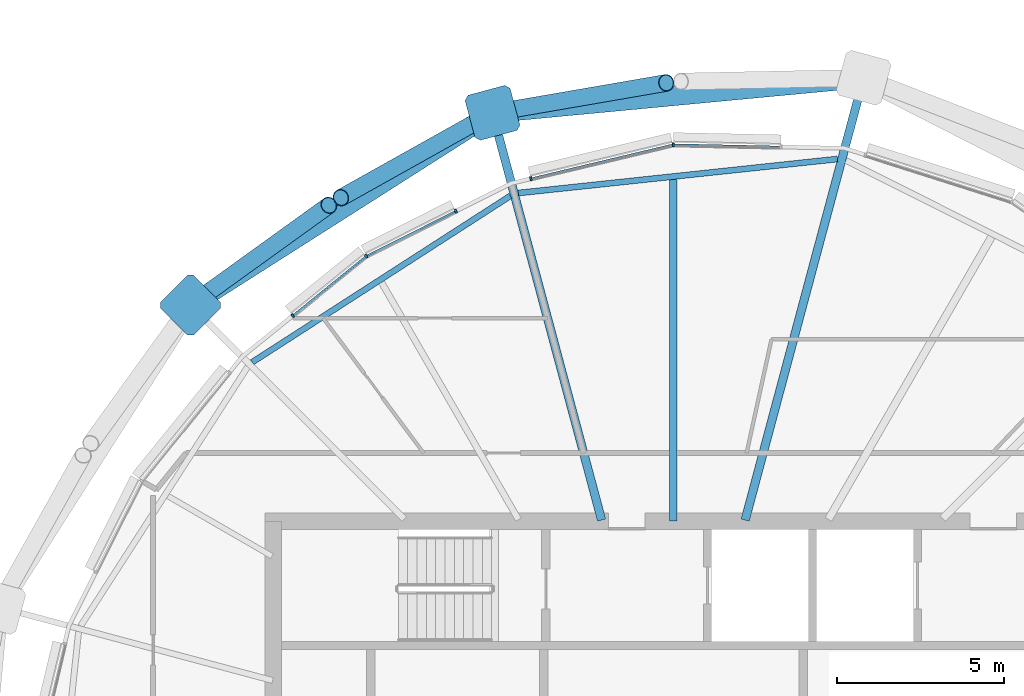
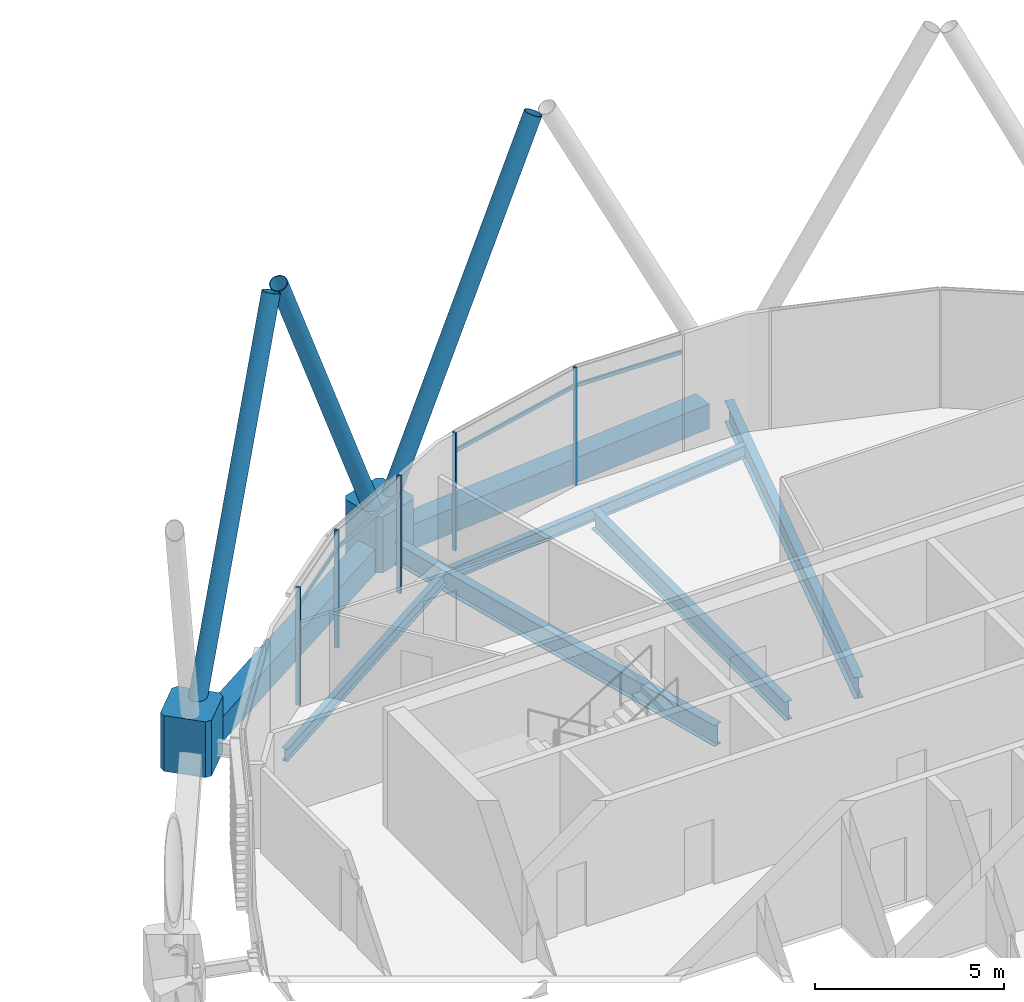
# One storey, part 16 of 32: 14 members, 7 beams, 1 element without a shape of its own.
"""IFC4 building model written with IfcOpenShell, lengths in metres."""

from ifc_helpers import new_model, si_unit, direction, frame, origin, origin_2d, place, context, subcontext, project, spatial, polyline, rectangle, hollow_rectangle, hollow_circle, i_section, outline, extrude, material, material_profile, profile_set, type_object, element, aggregate, save


model = new_model("IFC4")

# Units and contexts
model_context = context("Model", 3, precision=1e-05, world=origin(), true_north=direction((0.0, 1.0)))
body_context = subcontext(model_context, "Body", "Model", "MODEL_VIEW")
ifc_project = project(units=[si_unit("LENGTHUNIT", "METRE"), si_unit("AREAUNIT", "SQUARE_METRE"), si_unit("VOLUMEUNIT", "CUBIC_METRE"), si_unit("PLANEANGLEUNIT", "RADIAN"), si_unit("MASSUNIT", "GRAM", prefix="KILO")], contexts=[model_context])

# Site, building, storey
site_placement = place(None, origin())
site = spatial("IfcSite", under=ifc_project, at=site_placement, CompositionType="ELEMENT")
building_placement = place(site_placement, origin())
building = spatial("IfcBuilding", under=site, at=building_placement, Name="Rimbun Link Towers", CompositionType="ELEMENT")
storey_placement = place(building_placement, frame((0.0, 0.0, 233.300048828125)))
storey = spatial("IfcBuildingStorey", under=building, at=storey_placement, Name="L57", CompositionType="ELEMENT", Elevation=233.300048828125)

# Curtain wall, members
ifc_material_1 = material(Name="Aluminium 6063-T6 and low-iron glass", Category="aluminium")
curtain_wall_type = type_object("IfcCurtainWallType", Name="CW1-Z4 unitised vision wall (zone 4)", PredefinedType="NOTDEFINED", material=ifc_material_1)
curtain_wall_placement = place(storey_placement, origin())
curtain_wall = element("IfcCurtainWall", 1, at=curtain_wall_placement, inside=storey, type_object=curtain_wall_type, Name="CW1 L57 T2", PredefinedType="NOTDEFINED")
ifc_material_2 = material(Name="Aluminium 6063-T6", Category="aluminium")
ifc_material_profile_1 = material_profile(ifc_material_2, rectangle(XDim=0.1201171875, YDim=0.06005859375, at=origin_2d()), Name="MULLION 60X120")
ifc_profile_set_1 = profile_set([ifc_material_profile_1], Name="Aluminium 6063-T6")
member_type_1 = type_object("IfcMemberType", Name="CW1 mullion 60X120", PredefinedType="MULLION", material=ifc_profile_set_1)
member_1_placement = place(storey_placement, frame((31.74365234375, 19.2978515625, 0.0), z_axis=(0.0, 0.0, 1.0), x_axis=(-0.106640247566, 0.994297670519, 0.0)))
member_1 = element("IfcMember", 2, at=member_1_placement, type_object=member_type_1, Name="CW1 mullion", PredefinedType="MULLION", context=body_context, shape_type="SweptSolid", body=[
    extrude(rectangle(XDim=0.1201171875, YDim=0.06005859375, at=origin_2d()), origin(), (0.0, 0.0, 1.0), 3.800048828125),
])
member_2_placement = place(storey_placement, frame((27.47509765625, 18.277587890625, 0.0), z_axis=(0.0, 0.0, 1.0), x_axis=(-0.23260293703, 0.972571783307, 0.0)))
member_2 = element("IfcMember", 3, at=member_2_placement, type_object=member_type_1, Name="CW1 mullion", PredefinedType="MULLION", context=body_context, shape_type="SweptSolid", body=[
    extrude(rectangle(XDim=0.1201171875, YDim=0.06005859375, at=origin_2d()), origin(), (0.0, 0.0, 1.0), 3.800048828125),
])
member_3_placement = place(storey_placement, frame((22.536376953125, 15.952392578125, 0.0), z_axis=(0.0, 0.0, 1.0), x_axis=(-0.542094623862, 0.840317451193, 0.0)))
member_3 = element("IfcMember", 4, at=member_3_placement, type_object=member_type_1, Name="CW1 mullion", PredefinedType="MULLION", context=body_context, shape_type="SweptSolid", body=[
    extrude(rectangle(XDim=0.1201171875, YDim=0.06005859375, at=origin_2d()), origin(), (0.0, 0.0, 1.0), 3.800048828125),
])
member_4_placement = place(storey_placement, frame((25.225341796875, 17.302978515625, 0.0), z_axis=(0.0, 0.0, 1.0), x_axis=(-0.448779041213, 0.893642754219, 0.0)))
member_4 = element("IfcMember", 5, at=member_4_placement, type_object=member_type_1, Name="CW1 mullion", PredefinedType="MULLION", context=body_context, shape_type="SweptSolid", body=[
    extrude(rectangle(XDim=0.1201171875, YDim=0.06005859375, at=origin_2d()), origin(), (0.0, 0.0, 1.0), 3.800048828125),
])
member_5_placement = place(storey_placement, frame((20.33251953125, 14.1689453125, 0.0), z_axis=(0.0, 0.0, 1.0), x_axis=(-0.629148262313, 0.777285317003, 0.0)))
member_5 = element("IfcMember", 6, at=member_5_placement, type_object=member_type_1, Name="CW1 mullion", PredefinedType="MULLION", context=body_context, shape_type="SweptSolid", body=[
    extrude(rectangle(XDim=0.1201171875, YDim=0.06005859375, at=origin_2d()), origin(), (0.0, 0.0, 1.0), 3.800048828125),
])
ifc_material_3 = material(Name="Aluminium 6063-T6", Category="aluminium")
ifc_material_profile_2 = material_profile(ifc_material_3, rectangle(XDim=0.06005859375, YDim=0.1201171875, at=origin_2d()), Name="TRANSOM 60X120")
ifc_profile_set_2 = profile_set([ifc_material_profile_2], Name="Aluminium 6063-T6")
member_type_2 = type_object("IfcMemberType", Name="CW1 transom 60X120", PredefinedType="USERDEFINED", material=ifc_profile_set_2)
member_6_placement = place(storey_placement, frame((31.78125, 19.295654296875, 3.199951171875), z_axis=(0.999778518214, -0.021045534388, 0.0), x_axis=(0.021045534388, 0.999778518214, 0.0)))
member_6 = element("IfcMember", 7, at=member_6_placement, type_object=member_type_2, Name="CW1 transom", ObjectType="TRANSOM", PredefinedType="USERDEFINED", context=body_context, shape_type="SweptSolid", body=[
    extrude(rectangle(XDim=0.06005859375, YDim=0.1201171875, at=origin_2d()), origin(), (0.0, 0.0, 1.0), 3.1669921875),
])
member_7_placement = place(storey_placement, frame((27.5048828125, 18.28271484375, 3.199951171875), z_axis=(0.972568054955, 0.232618525664, 0.0), x_axis=(-0.232618525664, 0.972568054955, 0.0)))
member_7 = element("IfcMember", 8, at=member_7_placement, type_object=member_type_2, Name="CW1 transom", ObjectType="TRANSOM", PredefinedType="USERDEFINED", context=body_context, shape_type="SweptSolid", body=[
    extrude(rectangle(XDim=0.06005859375, YDim=0.1201171875, at=origin_2d()), origin(), (0.0, 0.0, 1.0), 4.321044921875),
])
member_8_placement = place(storey_placement, frame((22.56982421875, 15.96728515625, 3.199951171875), z_axis=(0.893645933823, 0.448772709688, 0.0), x_axis=(-0.448772709688, 0.893645933823, 0.0)))
member_8 = element("IfcMember", 9, at=member_8_placement, type_object=member_type_2, Name="CW1 transom", ObjectType="TRANSOM", PredefinedType="USERDEFINED", context=body_context, shape_type="SweptSolid", body=[
    extrude(rectangle(XDim=0.06005859375, YDim=0.1201171875, at=origin_2d()), origin(), (0.0, 0.0, 1.0), 2.942626953125),
])
member_9_placement = place(storey_placement, frame((20.357177734375, 14.186279296875, 3.199951171875), z_axis=(0.777285938092, 0.629147494984, 0.0), x_axis=(-0.629147494984, 0.777285938092, 0.0)))
member_9 = element("IfcMember", 10, at=member_9_placement, type_object=member_type_2, Name="CW1 transom", ObjectType="TRANSOM", PredefinedType="USERDEFINED", context=body_context, shape_type="SweptSolid", body=[
    extrude(rectangle(XDim=0.06005859375, YDim=0.1201171875, at=origin_2d()), origin(), (0.0, 0.0, 1.0), 2.768798828125),
])
aggregate(curtain_wall, [member_1, member_2, member_3, member_4, member_5, member_6, member_7, member_8, member_9])

# Members
ifc_material_4 = material(Name="Steel S355J2H", Category="steel")
ifc_material_profile_3 = material_profile(ifc_material_4, hollow_circle(Radius=0.25390625, WallThickness=0.02001953125, at=origin_2d()), Name="Diagrid diagonal CHS 508x20")
ifc_profile_set_3 = profile_set([ifc_material_profile_3], Name="Steel S355J2H")
member_type_3 = type_object("IfcMemberType", Name="Diagrid diagonal CHS 508x20", PredefinedType="BRACE", material=ifc_profile_set_3)
member_10_placement = place(storey_placement, frame((26.53759765625, 20.2900390625, 0.4501953125), z_axis=(0.428636716067, 0.073931039685, 0.900446981788), x_axis=(-0.16996978258, 0.985449274702, 0.0)))
element("IfcMember", 11, at=member_10_placement, inside=storey, type_object=member_type_3, Name="Diagrid diagonal T2 L57-L60 04a", PredefinedType="BRACE", context=body_context, shape_type="SweptSolid", body=[
    extrude(hollow_circle(Radius=0.25390625, WallThickness=0.02001953125, at=origin_2d()), origin(), (0.0, 0.0, 1.0), 11.660400390625),
])
member_11_placement = place(storey_placement, frame((26.135498046875, 20.148193359375, 0.451416015625), z_axis=(-0.375118936722, -0.209871726675, 0.902906219745), x_axis=(0.488258190915, -0.872699225967, 0.0)))
element("IfcMember", 12, at=member_11_placement, inside=storey, type_object=member_type_3, Name="Diagrid diagonal T2 L57-L60 04b", PredefinedType="BRACE", context=body_context, shape_type="SweptSolid", body=[
    extrude(hollow_circle(Radius=0.25390625, WallThickness=0.02001953125, at=origin_2d()), origin(), (0.0, 0.0, 1.0), 11.6259765625),
])
member_12_placement = place(storey_placement, frame((17.435546875, 14.610107421875, 0.452880859375), z_axis=(0.343505119742, 0.247697139231, 0.905897543836), x_axis=(-0.584885340002, 0.811115983723, 0.0)))
element("IfcMember", 13, at=member_12_placement, inside=storey, type_object=member_type_3, Name="Diagrid diagonal T2 L57-L60 06a", PredefinedType="BRACE", context=body_context, shape_type="SweptSolid", body=[
    extrude(hollow_circle(Radius=0.25390625, WallThickness=0.02001953125, at=origin_2d()), origin(), (0.0, 0.0, 1.0), 11.584228515625),
])
ifc_material_5 = material(Name="Cast steel G20Mn5+QT, Rp0.2 300 MPa", Category="steel")
ifc_material_profile_4 = material_profile(ifc_material_5, outline(polyline([(0.699951171875, -0.570068359375), (0.699951171875, 0.570068359375), (0.570068359375, 0.699951171875), (-0.570068359375, 0.699951171875), (-0.699951171875, 0.570068359375), (-0.699951171875, -0.570068359375), (-0.570068359375, -0.699951171875), (0.570068359375, -0.699951171875), (0.699951171875, -0.570068359375)])), Name="NODE 1400x1400")
ifc_profile_set_4 = profile_set([ifc_material_profile_4], Name="Cast steel G20Mn5+QT, Rp0.2 300 MPa")
member_type_4 = type_object("IfcMemberType", Name="Diagrid node cast 1400", PredefinedType="USERDEFINED", material=ifc_profile_set_4)
for number, where, z_axis, x_axis, name in (
    (14, (26.3232421875, 20.2529296875, -0.900146484375), (0.0, 0.0, 1.0), (-0.258819045103, 0.965925826289, 0.0), "Diagrid node L57 04"),
    (15, (17.263671875, 14.486328125, -0.900146484375), (0.0, 0.0, 1.0), (-0.707106781187, 0.707106781187, 0.0), "Diagrid node L57 06"),
):
    element("IfcMember", number, at=place(storey_placement, frame(where, z_axis=z_axis, x_axis=x_axis)), inside=storey, type_object=member_type_4, Name=name, ObjectType="Diagrid node", PredefinedType="USERDEFINED", context=body_context, shape_type="SweptSolid", body=[
        extrude(outline(polyline([(0.699951171875, -0.570068359375), (0.699951171875, 0.570068359375), (0.570068359375, 0.699951171875), (-0.570068359375, 0.699951171875), (-0.699951171875, 0.570068359375), (-0.699951171875, -0.570068359375), (-0.570068359375, -0.699951171875), (0.570068359375, -0.699951171875), (0.699951171875, -0.570068359375)])), origin(), (0.0, 0.0, 1.0), 1.800048828125),
    ])

# Beams
ifc_material_6 = material(Name="Steel S355J2", Category="steel")
ifc_material_profile_5 = material_profile(ifc_material_6, hollow_rectangle(XDim=0.60009765625, YDim=0.800048828125, WallThickness=0.0400390625, at=origin_2d()), Name="Exoskeleton ring girder BOX 600x800x40")
ifc_profile_set_5 = profile_set([ifc_material_profile_5], Name="Steel S355J2")
beam_type_1 = type_object("IfcBeamType", Name="Exoskeleton ring girder BOX 600x800x40", PredefinedType="BEAM", material=ifc_profile_set_5)
beam_1_placement = place(storey_placement, frame((36.761474609375, 21.23779296875, -0.56005859375), z_axis=(-0.995580074972, -0.093916528463, 0.0), x_axis=(0.093916528463, -0.995580074972, 0.0)))
element("IfcBeam", 16, at=beam_1_placement, inside=storey, type_object=beam_type_1, Name="Exoskeleton ring girder L57 01", PredefinedType="BEAM", context=body_context, shape_type="SweptSolid", body=[
    extrude(hollow_rectangle(XDim=0.60009765625, YDim=0.800048828125, WallThickness=0.0400390625, at=origin_2d()), origin(), (0.0, 0.0, 1.0), 9.78466796875),
])
beam_2_placement = place(storey_placement, frame((25.732666015625, 19.877197265625, -0.56005859375), z_axis=(-0.843595819377, -0.536978671392, 0.0), x_axis=(0.536978671392, -0.843595819377, 0.0)))
element("IfcBeam", 17, at=beam_2_placement, inside=storey, type_object=beam_type_1, Name="Exoskeleton ring girder L57 02", PredefinedType="BEAM", context=body_context, shape_type="SweptSolid", body=[
    extrude(hollow_rectangle(XDim=0.60009765625, YDim=0.800048828125, WallThickness=0.0400390625, at=origin_2d()), origin(), (0.0, 0.0, 1.0), 9.339111328125),
])
ifc_material_7 = material(Name="Steel S355J2", Category="steel")
ifc_material_profile_6 = material_profile(ifc_material_7, i_section(OverallWidth=0.177978515625, OverallDepth=0.406494140625, WebThickness=0.0078125, FlangeThickness=0.0126953125, at=origin_2d()), Name="UB 406x178x60")
ifc_profile_set_6 = profile_set([ifc_material_profile_6], Name="Steel S355J2")
beam_type_2 = type_object("IfcBeamType", Name="UB 406x178x60", PredefinedType="BEAM", material=ifc_profile_set_6)
beam_3_placement = place(storey_placement, frame((36.673095703125, 18.8671875, -0.34326171875), z_axis=(-0.994365617856, -0.106004801904, 0.0), x_axis=(0.106004801904, -0.994365617856, 0.0)))
element("IfcBeam", 18, at=beam_3_placement, inside=storey, type_object=beam_type_2, Name="Edge beam T2 L57 02-04", PredefinedType="BEAM", context=body_context, shape_type="SweptSolid", body=[
    extrude(i_section(OverallWidth=0.177978515625, OverallDepth=0.406494140625, WebThickness=0.0078125, FlangeThickness=0.0126953125, at=origin_2d()), origin(), (0.0, 0.0, 1.0), 9.626953125),
])
beam_4_placement = place(storey_placement, frame((26.85888671875, 17.760498046875, -0.34326171875), z_axis=(-0.840608843805, -0.54164266054, 0.0), x_axis=(0.54164266054, -0.840608843805, 0.0)))
element("IfcBeam", 19, at=beam_4_placement, inside=storey, type_object=beam_type_2, Name="Edge beam T2 L57 04-06", PredefinedType="BEAM", context=body_context, shape_type="SweptSolid", body=[
    extrude(i_section(OverallWidth=0.177978515625, OverallDepth=0.406494140625, WebThickness=0.0078125, FlangeThickness=0.0126953125, at=origin_2d()), origin(), (0.0, 0.0, 1.0), 9.212158203125),
])
ifc_material_8 = material(Name="Steel S355J2", Category="steel")
ifc_material_profile_7 = material_profile(ifc_material_8, i_section(OverallWidth=0.2275390625, OverallDepth=0.6025390625, WebThickness=0.010498046875, FlangeThickness=0.014892578125, at=origin_2d()), Name="UB 610x229x101")
ifc_profile_set_7 = profile_set([ifc_material_profile_7], Name="Steel S355J2")
beam_type_3 = type_object("IfcBeamType", Name="UB 610x229x101", PredefinedType="BEAM", material=ifc_profile_set_7)
beam_5_placement = place(storey_placement, frame((31.75, 8.0009765625, -0.44140625), z_axis=(0.0, 1.0, 0.0), x_axis=(-1.0, 0.0, 0.0)))
element("IfcBeam", 20, at=beam_5_placement, inside=storey, type_object=beam_type_3, Name="Radial beam T2 L57 03", PredefinedType="BEAM", context=body_context, shape_type="SweptSolid", body=[
    extrude(i_section(OverallWidth=0.2275390625, OverallDepth=0.6025390625, WebThickness=0.010498046875, FlangeThickness=0.014892578125, at=origin_2d()), origin(), (0.0, 0.0, 1.0), 10.2509765625),
])
ifc_material_9 = material(Name="Steel S355J2", Category="steel")
ifc_material_profile_8 = material_profile(ifc_material_9, i_section(OverallWidth=0.253662109375, OverallDepth=0.68359375, WebThickness=0.012451171875, FlangeThickness=0.01904296875, at=origin_2d()), Name="UB 686x254x140")
ifc_profile_set_8 = profile_set([ifc_material_profile_8], Name="Steel S355J2")
beam_type_4 = type_object("IfcBeamType", Name="UB 686x254x140", PredefinedType="BEAM", material=ifc_profile_set_8)
beam_6_placement = place(storey_placement, frame((33.902587890625, 8.03369140625, -0.481689453125), z_axis=(0.258821816239, 0.965925083761, 0.0), x_axis=(-0.965925083761, 0.258821816239, 0.0)))
element("IfcBeam", 21, at=beam_6_placement, inside=storey, type_object=beam_type_4, Name="Radial beam T2 L57 02", PredefinedType="BEAM", context=body_context, shape_type="SweptSolid", body=[
    extrude(i_section(OverallWidth=0.253662109375, OverallDepth=0.68359375, WebThickness=0.012451171875, FlangeThickness=0.01904296875, at=origin_2d()), origin(), (0.0, 0.0, 1.0), 13.238037109375),
])
beam_7_placement = place(storey_placement, frame((29.597412109375, 8.03369140625, -0.481689453125), z_axis=(-0.258821790109, 0.965925090763, 0.0), x_axis=(-0.965925090763, -0.258821790109, 0.0)))
element("IfcBeam", 22, at=beam_7_placement, inside=storey, type_object=beam_type_4, Name="Radial beam T2 L57 04", PredefinedType="BEAM", context=body_context, shape_type="SweptSolid", body=[
    extrude(i_section(OverallWidth=0.253662109375, OverallDepth=0.68359375, WebThickness=0.012451171875, FlangeThickness=0.01904296875, at=origin_2d()), origin(), (0.0, 0.0, 1.0), 12.150390625),
])

save(model, "model.ifc")
